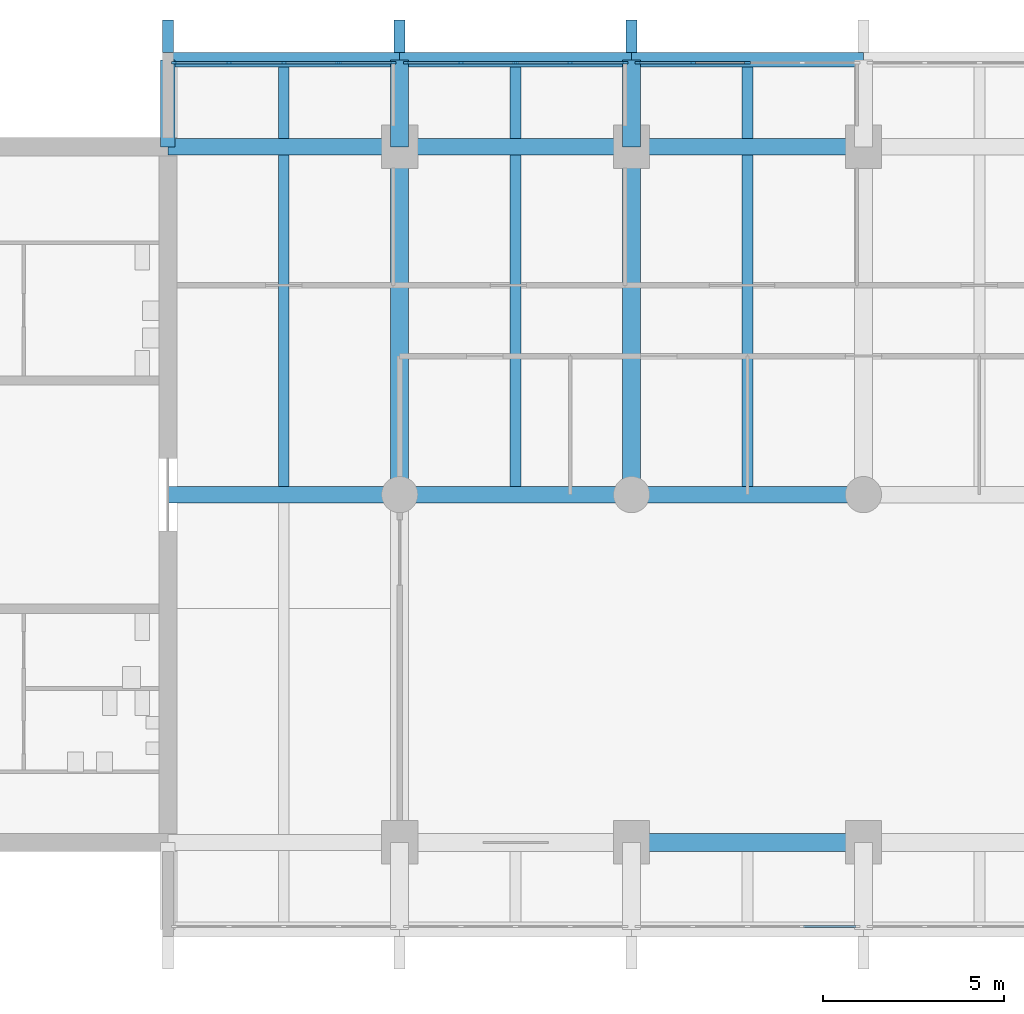
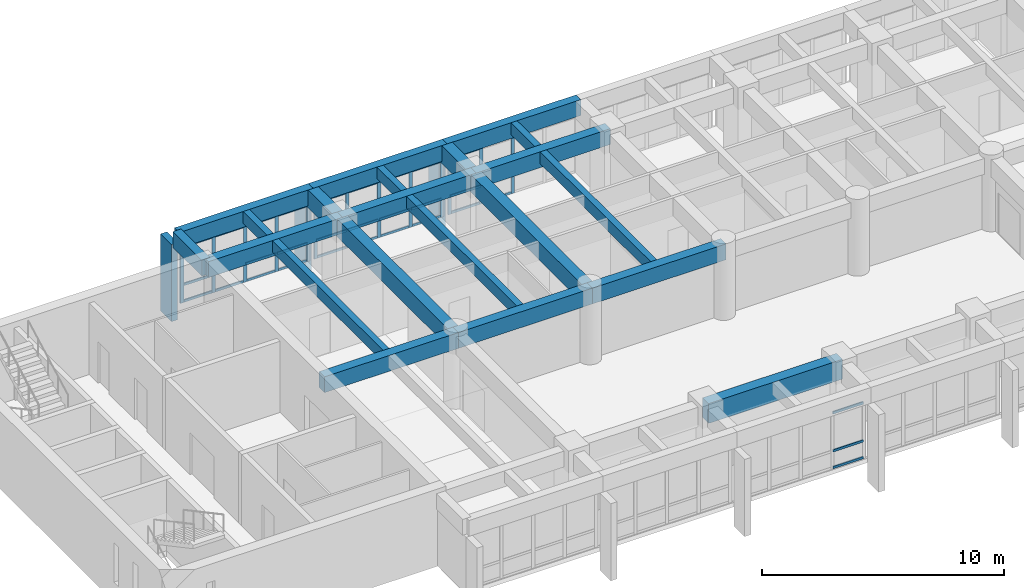
# One storey, part 3 of 15: 47 members, 21 beams, 4 elements without a shape of their own.
"""IFC4 building model written with IfcOpenShell, lengths in metres."""

from ifc_helpers import new_model, si_unit, direction, frame, origin, origin_2d, place, context, subcontext, project, spatial, rectangle, extrude, material, layer, layer_set, material_profile, profile_set, type_object, element, aggregate, save


model = new_model("IFC4")

# Units and contexts
model_context = context("Model", 3, precision=1e-05, world=origin(), true_north=direction((0.0, 1.0)))
body_context = subcontext(model_context, "Body", "Model", "MODEL_VIEW")
ifc_project = project(units=[si_unit("LENGTHUNIT", "METRE"), si_unit("AREAUNIT", "SQUARE_METRE"), si_unit("VOLUMEUNIT", "CUBIC_METRE"), si_unit("PLANEANGLEUNIT", "RADIAN"), si_unit("MASSUNIT", "GRAM", prefix="KILO")], contexts=[model_context])

# Site, building, storey
site_placement = place(None, origin())
site = spatial("IfcSite", under=ifc_project, at=site_placement, CompositionType="ELEMENT")
building_placement = place(site_placement, origin())
building = spatial("IfcBuilding", under=site, at=building_placement, Name="Fogon Plaza Fire Station and Headquarters Tower", CompositionType="ELEMENT")
storey_placement = place(building_placement, frame((0.0, 0.0, 32.699951171875)))
storey = spatial("IfcBuildingStorey", under=building, at=storey_placement, Name="L08", CompositionType="ELEMENT", Elevation=32.699951171875)

# Beams
ifc_material_1 = material(Name="Concrete C40", Category="concrete")
ifc_material_profile_1 = material_profile(ifc_material_1, rectangle(XDim=0.5, YDim=1.0, at=origin_2d()), Name="RC 500x1000")
ifc_profile_set_1 = profile_set([ifc_material_profile_1], Name="Concrete C40")
beam_type_1 = type_object("IfcBeamType", Name="ATRIUM EDGE GIRDER RC 500x1000", PredefinedType="BEAM", material=ifc_profile_set_1)
beam_1_placement = place(storey_placement, frame((38.39990234375, 33.60009765625, 3.179931640625), z_axis=(1.0, 0.0, 0.0), x_axis=(0.0, 1.0, 0.0)))
element("IfcBeam", 1, at=beam_1_placement, inside=storey, type_object=beam_type_1, Name="beam-L08-023", PredefinedType="BEAM", context=body_context, shape_type="SweptSolid", body=[
    extrude(rectangle(XDim=0.5, YDim=1.0, at=origin_2d()), origin(), (0.0, 0.0, 1.0), 6.400146484375),
])
ifc_material_2 = material(Name="Concrete C40", Category="concrete")
ifc_material_profile_2 = material_profile(ifc_material_2, rectangle(XDim=0.39990234375, YDim=0.800048828125, at=origin_2d()), Name="RC 400x800")
ifc_profile_set_2 = profile_set([ifc_material_profile_2], Name="Concrete C40")
beam_type_2 = type_object("IfcBeamType", Name="BEAM RC 400x800", PredefinedType="BEAM", material=ifc_profile_set_2)
for number, where, z_axis, x_axis, name in (
    (2, (25.60009765625, 55.199951171875, 3.280029296875), (1.0, 0.0, 0.0), (0.0, 1.0, 0.0), "beam-L08-045"),
    (3, (32.0, 55.199951171875, 3.280029296875), (1.0, 0.0, 0.0), (0.0, 1.0, 0.0), "beam-L08-046"),
):
    element("IfcBeam", number, at=place(storey_placement, frame(where, z_axis=z_axis, x_axis=x_axis)), inside=storey, type_object=beam_type_2, Name=name, PredefinedType="BEAM", context=body_context, shape_type="SweptSolid", body=[
        extrude(rectangle(XDim=0.39990234375, YDim=0.800048828125, at=origin_2d()), origin(), (0.0, 0.0, 1.0), 6.39990234375),
    ])
beam_2_placement = place(storey_placement, frame((38.39990234375, 55.199951171875, 3.280029296875), z_axis=(1.0, 0.0, 0.0), x_axis=(0.0, 1.0, 0.0)))
element("IfcBeam", 4, at=beam_2_placement, inside=storey, type_object=beam_type_2, Name="beam-L08-047", PredefinedType="BEAM", context=body_context, shape_type="SweptSolid", body=[
    extrude(rectangle(XDim=0.39990234375, YDim=0.800048828125, at=origin_2d()), origin(), (0.0, 0.0, 1.0), 6.400146484375),
])
ifc_material_3 = material(Name="Concrete C40", Category="concrete")
ifc_material_profile_3 = material_profile(ifc_material_3, rectangle(XDim=0.39990234375, YDim=0.800048828125, at=origin_2d()), Name="RC 400x800")
ifc_profile_set_3 = profile_set([ifc_material_profile_3], Name="Concrete C40")
beam_type_3 = type_object("IfcBeamType", Name="BEAM RC 400x800 SPAN 0.0 TO 3.0 M", PredefinedType="BEAM", material=ifc_profile_set_3)
beam_3_placement = place(storey_placement, frame((25.60009765625, 52.800048828125, 3.280029296875), z_axis=(0.0, 1.0, 0.0), x_axis=(-1.0, 0.0, 0.0)))
element("IfcBeam", 5, at=beam_3_placement, inside=storey, type_object=beam_type_3, Name="beam-L08-052", PredefinedType="BEAM", context=body_context, shape_type="SweptSolid", body=[
    extrude(rectangle(XDim=0.39990234375, YDim=0.800048828125, at=origin_2d()), origin(), (0.0, 0.0, 1.0), 2.39990234375),
])
ifc_material_4 = material(Name="Concrete C40", Category="concrete")
ifc_material_profile_4 = material_profile(ifc_material_4, rectangle(XDim=0.449951171875, YDim=0.800048828125, at=origin_2d()), Name="RC 450x800")
ifc_profile_set_4 = profile_set([ifc_material_profile_4], Name="Concrete C40")
beam_type_4 = type_object("IfcBeamType", Name="BEAM RC 450x800", PredefinedType="BEAM", material=ifc_profile_set_4)
for number, where, z_axis, x_axis, name in (
    (6, (25.60009765625, 43.199951171875, 3.280029296875), (1.0, 0.0, 0.0), (0.0, 1.0, 0.0), "beam-L08-027"),
    (7, (32.0, 43.199951171875, 3.280029296875), (1.0, 0.0, 0.0), (0.0, 1.0, 0.0), "beam-L08-028"),
):
    element("IfcBeam", number, at=place(storey_placement, frame(where, z_axis=z_axis, x_axis=x_axis)), inside=storey, type_object=beam_type_4, Name=name, PredefinedType="BEAM", context=body_context, shape_type="SweptSolid", body=[
        extrude(rectangle(XDim=0.449951171875, YDim=0.800048828125, at=origin_2d()), origin(), (0.0, 0.0, 1.0), 6.39990234375),
    ])
beam_4_placement = place(storey_placement, frame((38.39990234375, 43.199951171875, 3.280029296875), z_axis=(1.0, 0.0, 0.0), x_axis=(0.0, 1.0, 0.0)))
element("IfcBeam", 8, at=beam_4_placement, inside=storey, type_object=beam_type_4, Name="beam-L08-029", PredefinedType="BEAM", context=body_context, shape_type="SweptSolid", body=[
    extrude(rectangle(XDim=0.449951171875, YDim=0.800048828125, at=origin_2d()), origin(), (0.0, 0.0, 1.0), 6.400146484375),
])
for number, where, z_axis, x_axis, name in (
    (9, (25.60009765625, 52.800048828125, 3.280029296875), (1.0, 0.0, 0.0), (0.0, 1.0, 0.0), "beam-L08-033"),
    (10, (32.0, 52.800048828125, 3.280029296875), (1.0, 0.0, 0.0), (0.0, 1.0, 0.0), "beam-L08-034"),
):
    element("IfcBeam", number, at=place(storey_placement, frame(where, z_axis=z_axis, x_axis=x_axis)), inside=storey, type_object=beam_type_4, Name=name, PredefinedType="BEAM", context=body_context, shape_type="SweptSolid", body=[
        extrude(rectangle(XDim=0.449951171875, YDim=0.800048828125, at=origin_2d()), origin(), (0.0, 0.0, 1.0), 6.39990234375),
    ])
beam_5_placement = place(storey_placement, frame((38.39990234375, 52.800048828125, 3.280029296875), z_axis=(1.0, 0.0, 0.0), x_axis=(0.0, 1.0, 0.0)))
element("IfcBeam", 11, at=beam_5_placement, inside=storey, type_object=beam_type_4, Name="beam-L08-035", PredefinedType="BEAM", context=body_context, shape_type="SweptSolid", body=[
    extrude(rectangle(XDim=0.449951171875, YDim=0.800048828125, at=origin_2d()), origin(), (0.0, 0.0, 1.0), 6.400146484375),
])
ifc_material_5 = material(Name="Concrete C40", Category="concrete")
ifc_material_profile_5 = material_profile(ifc_material_5, rectangle(XDim=0.5, YDim=0.89990234375, at=origin_2d()), Name="RC 500x900")
ifc_profile_set_5 = profile_set([ifc_material_profile_5], Name="Concrete C40")
beam_type_5 = type_object("IfcBeamType", Name="BEAM RC 500x900 SPAN 0.0 TO 3.0 M", PredefinedType="BEAM", material=ifc_profile_set_5)
for number, where, z_axis, x_axis, name in (
    (12, (32.0, 52.800048828125, 3.22998046875), (0.0, 1.0, 0.0), (-1.0, 0.0, 0.0), "beam-L08-004"),
    (13, (38.39990234375, 52.800048828125, 3.22998046875), (0.0, 1.0, 0.0), (-1.0, 0.0, 0.0), "beam-L08-008"),
):
    element("IfcBeam", number, at=place(storey_placement, frame(where, z_axis=z_axis, x_axis=x_axis)), inside=storey, type_object=beam_type_5, Name=name, PredefinedType="BEAM", context=body_context, shape_type="SweptSolid", body=[
        extrude(rectangle(XDim=0.5, YDim=0.89990234375, at=origin_2d()), origin(), (0.0, 0.0, 1.0), 2.39990234375),
    ])
ifc_material_6 = material(Name="Concrete C40", Category="concrete")
ifc_material_profile_6 = material_profile(ifc_material_6, rectangle(XDim=0.5, YDim=0.89990234375, at=origin_2d()), Name="RC 500x900")
ifc_profile_set_6 = profile_set([ifc_material_profile_6], Name="Concrete C40")
beam_type_6 = type_object("IfcBeamType", Name="BEAM RC 500x900 SPAN 7.7 TO 12.3 M", PredefinedType="BEAM", material=ifc_profile_set_6)
for number, where, z_axis, x_axis, name in (
    (14, (32.0, 43.199951171875, 3.22998046875), (0.0, 1.0, 0.0), (-1.0, 0.0, 0.0), "beam-L08-003"),
    (15, (38.39990234375, 43.199951171875, 3.22998046875), (0.0, 1.0, 0.0), (-1.0, 0.0, 0.0), "beam-L08-007"),
):
    element("IfcBeam", number, at=place(storey_placement, frame(where, z_axis=z_axis, x_axis=x_axis)), inside=storey, type_object=beam_type_6, Name=name, PredefinedType="BEAM", context=body_context, shape_type="SweptSolid", body=[
        extrude(rectangle(XDim=0.5, YDim=0.89990234375, at=origin_2d()), origin(), (0.0, 0.0, 1.0), 9.60009765625),
    ])

# Curtain wall, members
ifc_material_7 = material(Name="Aluminium and glass", Category="aluminium")
ifc_layer = layer(ifc_material_7, 0.14990234375)
ifc_layer_set = layer_set([ifc_layer], Name="Aluminium and glass")
curtain_wall_type = type_object("IfcCurtainWallType", Name="Unitised Curtain Wall Run 6100x2880", PredefinedType="NOTDEFINED", material=ifc_layer_set)
curtain_wall_1_placement = place(storey_placement, origin())
curtain_wall_1 = element("IfcCurtainWall", 16, at=curtain_wall_1_placement, inside=storey, type_object=curtain_wall_type, Name="CW-6100x2880 N1 L08", PredefinedType="NOTDEFINED")
ifc_material_8 = material(Name="Aluminium", Category="aluminium")
ifc_material_profile_7 = material_profile(ifc_material_8, rectangle(XDim=0.06005859375, YDim=0.159912109375, at=origin_2d()), Name="Curtain Wall Mullion 60x160")
ifc_profile_set_7 = profile_set([ifc_material_profile_7], Name="Aluminium")
member_type_1 = type_object("IfcMemberType", Name="Curtain Wall Mullion 60x160", PredefinedType="MULLION", material=ifc_profile_set_7)
member_1_placement = place(storey_placement, frame((25.780029296875, 55.1201171875, 0.0), z_axis=(0.0, 0.0, 1.0), x_axis=(0.0, 1.0, 0.0)))
member_1 = element("IfcMember", 17, at=member_1_placement, type_object=member_type_1, Name="CW-6100x2880 mullion 1", PredefinedType="MULLION", context=body_context, shape_type="SweptSolid", body=[
    extrude(rectangle(XDim=0.06005859375, YDim=0.159912109375, at=origin_2d()), origin(), (0.0, 0.0, 1.0), 2.880126953125),
])
member_2_placement = place(storey_placement, frame((27.2900390625, 55.1201171875, 0.0), z_axis=(0.0, 0.0, 1.0), x_axis=(0.0, 1.0, 0.0)))
member_2 = element("IfcMember", 18, at=member_2_placement, type_object=member_type_1, Name="CW-6100x2880 mullion 2", PredefinedType="MULLION", context=body_context, shape_type="SweptSolid", body=[
    extrude(rectangle(XDim=0.06005859375, YDim=0.159912109375, at=origin_2d()), origin(), (0.0, 0.0, 1.0), 2.880126953125),
])
member_3_placement = place(storey_placement, frame((28.800048828125, 55.1201171875, 0.0), z_axis=(0.0, 0.0, 1.0), x_axis=(0.0, 1.0, 0.0)))
member_3 = element("IfcMember", 19, at=member_3_placement, type_object=member_type_1, Name="CW-6100x2880 mullion 3", PredefinedType="MULLION", context=body_context, shape_type="SweptSolid", body=[
    extrude(rectangle(XDim=0.06005859375, YDim=0.159912109375, at=origin_2d()), origin(), (0.0, 0.0, 1.0), 2.880126953125),
])
member_4_placement = place(storey_placement, frame((30.31005859375, 55.1201171875, 0.0), z_axis=(0.0, 0.0, 1.0), x_axis=(0.0, 1.0, 0.0)))
member_4 = element("IfcMember", 20, at=member_4_placement, type_object=member_type_1, Name="CW-6100x2880 mullion 4", PredefinedType="MULLION", context=body_context, shape_type="SweptSolid", body=[
    extrude(rectangle(XDim=0.06005859375, YDim=0.159912109375, at=origin_2d()), origin(), (0.0, 0.0, 1.0), 2.880126953125),
])
member_5_placement = place(storey_placement, frame((31.820068359375, 55.1201171875, 0.0), z_axis=(0.0, 0.0, 1.0), x_axis=(0.0, 1.0, 0.0)))
member_5 = element("IfcMember", 21, at=member_5_placement, type_object=member_type_1, Name="CW-6100x2880 mullion 5", PredefinedType="MULLION", context=body_context, shape_type="SweptSolid", body=[
    extrude(rectangle(XDim=0.06005859375, YDim=0.159912109375, at=origin_2d()), origin(), (0.0, 0.0, 1.0), 2.880126953125),
])

curtain_wall_2_placement = place(storey_placement, origin())
curtain_wall_2 = element("IfcCurtainWall", 22, at=curtain_wall_2_placement, inside=storey, type_object=curtain_wall_type, Name="CW-6100x2880 N2 L08", PredefinedType="NOTDEFINED")
member_6_placement = place(storey_placement, frame((32.179931640625, 55.1201171875, 0.0), z_axis=(0.0, 0.0, 1.0), x_axis=(0.0, 1.0, 0.0)))
member_6 = element("IfcMember", 23, at=member_6_placement, type_object=member_type_1, Name="CW-6100x2880 mullion 1", PredefinedType="MULLION", context=body_context, shape_type="SweptSolid", body=[
    extrude(rectangle(XDim=0.06005859375, YDim=0.159912109375, at=origin_2d()), origin(), (0.0, 0.0, 1.0), 2.880126953125),
])
member_7_placement = place(storey_placement, frame((33.68994140625, 55.1201171875, 0.0), z_axis=(0.0, 0.0, 1.0), x_axis=(0.0, 1.0, 0.0)))
member_7 = element("IfcMember", 24, at=member_7_placement, type_object=member_type_1, Name="CW-6100x2880 mullion 2", PredefinedType="MULLION", context=body_context, shape_type="SweptSolid", body=[
    extrude(rectangle(XDim=0.06005859375, YDim=0.159912109375, at=origin_2d()), origin(), (0.0, 0.0, 1.0), 2.880126953125),
])
member_8_placement = place(storey_placement, frame((35.199951171875, 55.1201171875, 0.0), z_axis=(0.0, 0.0, 1.0), x_axis=(0.0, 1.0, 0.0)))
member_8 = element("IfcMember", 25, at=member_8_placement, type_object=member_type_1, Name="CW-6100x2880 mullion 3", PredefinedType="MULLION", context=body_context, shape_type="SweptSolid", body=[
    extrude(rectangle(XDim=0.06005859375, YDim=0.159912109375, at=origin_2d()), origin(), (0.0, 0.0, 1.0), 2.880126953125),
])
member_9_placement = place(storey_placement, frame((36.7099609375, 55.1201171875, 0.0), z_axis=(0.0, 0.0, 1.0), x_axis=(0.0, 1.0, 0.0)))
member_9 = element("IfcMember", 26, at=member_9_placement, type_object=member_type_1, Name="CW-6100x2880 mullion 4", PredefinedType="MULLION", context=body_context, shape_type="SweptSolid", body=[
    extrude(rectangle(XDim=0.06005859375, YDim=0.159912109375, at=origin_2d()), origin(), (0.0, 0.0, 1.0), 2.880126953125),
])
member_10_placement = place(storey_placement, frame((38.219970703125, 55.1201171875, 0.0), z_axis=(0.0, 0.0, 1.0), x_axis=(0.0, 1.0, 0.0)))
member_10 = element("IfcMember", 27, at=member_10_placement, type_object=member_type_1, Name="CW-6100x2880 mullion 5", PredefinedType="MULLION", context=body_context, shape_type="SweptSolid", body=[
    extrude(rectangle(XDim=0.06005859375, YDim=0.159912109375, at=origin_2d()), origin(), (0.0, 0.0, 1.0), 2.880126953125),
])

curtain_wall_3_placement = place(storey_placement, origin())
curtain_wall_3 = element("IfcCurtainWall", 28, at=curtain_wall_3_placement, inside=storey, type_object=curtain_wall_type, Name="CW-6100x2880 N3 L08", PredefinedType="NOTDEFINED")
member_11_placement = place(storey_placement, frame((38.580078125, 55.1201171875, 0.0), z_axis=(0.0, 0.0, 1.0), x_axis=(0.0, 1.0, 0.0)))
member_11 = element("IfcMember", 29, at=member_11_placement, type_object=member_type_1, Name="CW-6100x2880 mullion 1", PredefinedType="MULLION", context=body_context, shape_type="SweptSolid", body=[
    extrude(rectangle(XDim=0.06005859375, YDim=0.159912109375, at=origin_2d()), origin(), (0.0, 0.0, 1.0), 2.880126953125),
])
member_12_placement = place(storey_placement, frame((40.090087890625, 55.1201171875, 0.0), z_axis=(0.0, 0.0, 1.0), x_axis=(0.0, 1.0, 0.0)))
member_12 = element("IfcMember", 30, at=member_12_placement, type_object=member_type_1, Name="CW-6100x2880 mullion 2", PredefinedType="MULLION", context=body_context, shape_type="SweptSolid", body=[
    extrude(rectangle(XDim=0.06005859375, YDim=0.159912109375, at=origin_2d()), origin(), (0.0, 0.0, 1.0), 2.880126953125),
])
member_13_placement = place(storey_placement, frame((41.60009765625, 55.1201171875, 0.0), z_axis=(0.0, 0.0, 1.0), x_axis=(0.0, 1.0, 0.0)))
member_13 = element("IfcMember", 31, at=member_13_placement, type_object=member_type_1, Name="CW-6100x2880 mullion 3", PredefinedType="MULLION", context=body_context, shape_type="SweptSolid", body=[
    extrude(rectangle(XDim=0.06005859375, YDim=0.159912109375, at=origin_2d()), origin(), (0.0, 0.0, 1.0), 2.880126953125),
])

curtain_wall_4_placement = place(storey_placement, origin())
curtain_wall_4 = element("IfcCurtainWall", 32, at=curtain_wall_4_placement, inside=storey, type_object=curtain_wall_type, Name="CW-6100x2880 S3 L08", PredefinedType="NOTDEFINED")
ifc_material_9 = material(Name="Aluminium", Category="aluminium")
ifc_material_profile_8 = material_profile(ifc_material_9, rectangle(XDim=0.06005859375, YDim=0.1201171875, at=origin_2d()), Name="Curtain Wall Transom 60x120")
ifc_profile_set_8 = profile_set([ifc_material_profile_8], Name="Aluminium")
member_type_2 = type_object("IfcMemberType", Name="Curtain Wall Transom 60x120", PredefinedType="USERDEFINED", material=ifc_profile_set_8)
member_14_placement = place(storey_placement, frame((43.139892578125, 31.280029296875, 0.06005859375), z_axis=(1.0, 0.0, 0.0), x_axis=(0.0, 1.0, 0.0)))
member_14 = element("IfcMember", 33, at=member_14_placement, type_object=member_type_2, Name="CW-6100x2880 transom 4.1", ObjectType="TRANSOM", PredefinedType="USERDEFINED", context=body_context, shape_type="SweptSolid", body=[
    extrude(rectangle(XDim=0.06005859375, YDim=0.1201171875, at=origin_2d()), origin(), (0.0, 0.0, 1.0), 1.4501953125),
])
member_15_placement = place(storey_placement, frame((43.139892578125, 31.280029296875, 0.900146484375), z_axis=(1.0, 0.0, 0.0), x_axis=(0.0, 1.0, 0.0)))
member_15 = element("IfcMember", 34, at=member_15_placement, type_object=member_type_2, Name="CW-6100x2880 transom 4.2", ObjectType="TRANSOM", PredefinedType="USERDEFINED", context=body_context, shape_type="SweptSolid", body=[
    extrude(rectangle(XDim=0.06005859375, YDim=0.1201171875, at=origin_2d()), origin(), (0.0, 0.0, 1.0), 1.4501953125),
])
member_16_placement = place(storey_placement, frame((43.139892578125, 31.280029296875, 2.820068359375), z_axis=(1.0, 0.0, 0.0), x_axis=(0.0, 1.0, 0.0)))
member_16 = element("IfcMember", 35, at=member_16_placement, type_object=member_type_2, Name="CW-6100x2880 transom 4.3", ObjectType="TRANSOM", PredefinedType="USERDEFINED", context=body_context, shape_type="SweptSolid", body=[
    extrude(rectangle(XDim=0.06005859375, YDim=0.1201171875, at=origin_2d()), origin(), (0.0, 0.0, 1.0), 1.4501953125),
])
aggregate(curtain_wall_4, [member_14, member_15, member_16])

# Member
member_17_placement = place(storey_placement, frame((25.81005859375, 55.1201171875, 0.06005859375), z_axis=(1.0, 0.0, 0.0), x_axis=(0.0, 1.0, 0.0)))
member_17 = element("IfcMember", 36, at=member_17_placement, type_object=member_type_2, Name="CW-6100x2880 transom 1.1", ObjectType="TRANSOM", PredefinedType="USERDEFINED", context=body_context, shape_type="SweptSolid", body=[
    extrude(rectangle(XDim=0.06005859375, YDim=0.1201171875, at=origin_2d()), origin(), (0.0, 0.0, 1.0), 1.449951171875),
])

member_18_placement = place(storey_placement, frame((25.81005859375, 55.1201171875, 0.900146484375), z_axis=(1.0, 0.0, 0.0), x_axis=(0.0, 1.0, 0.0)))
member_18 = element("IfcMember", 37, at=member_18_placement, type_object=member_type_2, Name="CW-6100x2880 transom 1.2", ObjectType="TRANSOM", PredefinedType="USERDEFINED", context=body_context, shape_type="SweptSolid", body=[
    extrude(rectangle(XDim=0.06005859375, YDim=0.1201171875, at=origin_2d()), origin(), (0.0, 0.0, 1.0), 1.449951171875),
])

member_19_placement = place(storey_placement, frame((25.81005859375, 55.1201171875, 2.820068359375), z_axis=(1.0, 0.0, 0.0), x_axis=(0.0, 1.0, 0.0)))
member_19 = element("IfcMember", 38, at=member_19_placement, type_object=member_type_2, Name="CW-6100x2880 transom 1.3", ObjectType="TRANSOM", PredefinedType="USERDEFINED", context=body_context, shape_type="SweptSolid", body=[
    extrude(rectangle(XDim=0.06005859375, YDim=0.1201171875, at=origin_2d()), origin(), (0.0, 0.0, 1.0), 1.449951171875),
])

member_20_placement = place(storey_placement, frame((27.320068359375, 55.1201171875, 0.06005859375), z_axis=(1.0, 0.0, 0.0), x_axis=(0.0, 1.0, 0.0)))
member_20 = element("IfcMember", 39, at=member_20_placement, type_object=member_type_2, Name="CW-6100x2880 transom 2.1", ObjectType="TRANSOM", PredefinedType="USERDEFINED", context=body_context, shape_type="SweptSolid", body=[
    extrude(rectangle(XDim=0.06005859375, YDim=0.1201171875, at=origin_2d()), origin(), (0.0, 0.0, 1.0), 1.449951171875),
])

member_21_placement = place(storey_placement, frame((27.320068359375, 55.1201171875, 0.900146484375), z_axis=(1.0, 0.0, 0.0), x_axis=(0.0, 1.0, 0.0)))
member_21 = element("IfcMember", 40, at=member_21_placement, type_object=member_type_2, Name="CW-6100x2880 transom 2.2", ObjectType="TRANSOM", PredefinedType="USERDEFINED", context=body_context, shape_type="SweptSolid", body=[
    extrude(rectangle(XDim=0.06005859375, YDim=0.1201171875, at=origin_2d()), origin(), (0.0, 0.0, 1.0), 1.449951171875),
])

member_22_placement = place(storey_placement, frame((27.320068359375, 55.1201171875, 2.820068359375), z_axis=(1.0, 0.0, 0.0), x_axis=(0.0, 1.0, 0.0)))
member_22 = element("IfcMember", 41, at=member_22_placement, type_object=member_type_2, Name="CW-6100x2880 transom 2.3", ObjectType="TRANSOM", PredefinedType="USERDEFINED", context=body_context, shape_type="SweptSolid", body=[
    extrude(rectangle(XDim=0.06005859375, YDim=0.1201171875, at=origin_2d()), origin(), (0.0, 0.0, 1.0), 1.449951171875),
])

member_23_placement = place(storey_placement, frame((28.830078125, 55.1201171875, 0.06005859375), z_axis=(1.0, 0.0, 0.0), x_axis=(0.0, 1.0, 0.0)))
member_23 = element("IfcMember", 42, at=member_23_placement, type_object=member_type_2, Name="CW-6100x2880 transom 3.1", ObjectType="TRANSOM", PredefinedType="USERDEFINED", context=body_context, shape_type="SweptSolid", body=[
    extrude(rectangle(XDim=0.06005859375, YDim=0.1201171875, at=origin_2d()), origin(), (0.0, 0.0, 1.0), 1.449951171875),
])

member_24_placement = place(storey_placement, frame((28.830078125, 55.1201171875, 0.900146484375), z_axis=(1.0, 0.0, 0.0), x_axis=(0.0, 1.0, 0.0)))
member_24 = element("IfcMember", 43, at=member_24_placement, type_object=member_type_2, Name="CW-6100x2880 transom 3.2", ObjectType="TRANSOM", PredefinedType="USERDEFINED", context=body_context, shape_type="SweptSolid", body=[
    extrude(rectangle(XDim=0.06005859375, YDim=0.1201171875, at=origin_2d()), origin(), (0.0, 0.0, 1.0), 1.449951171875),
])

member_25_placement = place(storey_placement, frame((28.830078125, 55.1201171875, 2.820068359375), z_axis=(1.0, 0.0, 0.0), x_axis=(0.0, 1.0, 0.0)))
member_25 = element("IfcMember", 44, at=member_25_placement, type_object=member_type_2, Name="CW-6100x2880 transom 3.3", ObjectType="TRANSOM", PredefinedType="USERDEFINED", context=body_context, shape_type="SweptSolid", body=[
    extrude(rectangle(XDim=0.06005859375, YDim=0.1201171875, at=origin_2d()), origin(), (0.0, 0.0, 1.0), 1.449951171875),
])

member_26_placement = place(storey_placement, frame((30.340087890625, 55.1201171875, 0.06005859375), z_axis=(1.0, 0.0, 0.0), x_axis=(0.0, 1.0, 0.0)))
member_26 = element("IfcMember", 45, at=member_26_placement, type_object=member_type_2, Name="CW-6100x2880 transom 4.1", ObjectType="TRANSOM", PredefinedType="USERDEFINED", context=body_context, shape_type="SweptSolid", body=[
    extrude(rectangle(XDim=0.06005859375, YDim=0.1201171875, at=origin_2d()), origin(), (0.0, 0.0, 1.0), 1.449951171875),
])

member_27_placement = place(storey_placement, frame((30.340087890625, 55.1201171875, 0.900146484375), z_axis=(1.0, 0.0, 0.0), x_axis=(0.0, 1.0, 0.0)))
member_27 = element("IfcMember", 46, at=member_27_placement, type_object=member_type_2, Name="CW-6100x2880 transom 4.2", ObjectType="TRANSOM", PredefinedType="USERDEFINED", context=body_context, shape_type="SweptSolid", body=[
    extrude(rectangle(XDim=0.06005859375, YDim=0.1201171875, at=origin_2d()), origin(), (0.0, 0.0, 1.0), 1.449951171875),
])

member_28_placement = place(storey_placement, frame((30.340087890625, 55.1201171875, 2.820068359375), z_axis=(1.0, 0.0, 0.0), x_axis=(0.0, 1.0, 0.0)))
member_28 = element("IfcMember", 47, at=member_28_placement, type_object=member_type_2, Name="CW-6100x2880 transom 4.3", ObjectType="TRANSOM", PredefinedType="USERDEFINED", context=body_context, shape_type="SweptSolid", body=[
    extrude(rectangle(XDim=0.06005859375, YDim=0.1201171875, at=origin_2d()), origin(), (0.0, 0.0, 1.0), 1.449951171875),
])

aggregate(curtain_wall_1, [member_1, member_2, member_3, member_4, member_5, member_17, member_18, member_19, member_20, member_21, member_22, member_23, member_24, member_25, member_26, member_27, member_28])

member_29_placement = place(storey_placement, frame((32.2099609375, 55.1201171875, 0.06005859375), z_axis=(1.0, 0.0, 0.0), x_axis=(0.0, 1.0, 0.0)))
member_29 = element("IfcMember", 48, at=member_29_placement, type_object=member_type_2, Name="CW-6100x2880 transom 1.1", ObjectType="TRANSOM", PredefinedType="USERDEFINED", context=body_context, shape_type="SweptSolid", body=[
    extrude(rectangle(XDim=0.06005859375, YDim=0.1201171875, at=origin_2d()), origin(), (0.0, 0.0, 1.0), 1.449951171875),
])

member_30_placement = place(storey_placement, frame((32.2099609375, 55.1201171875, 0.900146484375), z_axis=(1.0, 0.0, 0.0), x_axis=(0.0, 1.0, 0.0)))
member_30 = element("IfcMember", 49, at=member_30_placement, type_object=member_type_2, Name="CW-6100x2880 transom 1.2", ObjectType="TRANSOM", PredefinedType="USERDEFINED", context=body_context, shape_type="SweptSolid", body=[
    extrude(rectangle(XDim=0.06005859375, YDim=0.1201171875, at=origin_2d()), origin(), (0.0, 0.0, 1.0), 1.449951171875),
])

member_31_placement = place(storey_placement, frame((32.2099609375, 55.1201171875, 2.820068359375), z_axis=(1.0, 0.0, 0.0), x_axis=(0.0, 1.0, 0.0)))
member_31 = element("IfcMember", 50, at=member_31_placement, type_object=member_type_2, Name="CW-6100x2880 transom 1.3", ObjectType="TRANSOM", PredefinedType="USERDEFINED", context=body_context, shape_type="SweptSolid", body=[
    extrude(rectangle(XDim=0.06005859375, YDim=0.1201171875, at=origin_2d()), origin(), (0.0, 0.0, 1.0), 1.449951171875),
])

member_32_placement = place(storey_placement, frame((33.719970703125, 55.1201171875, 0.06005859375), z_axis=(1.0, 0.0, 0.0), x_axis=(0.0, 1.0, 0.0)))
member_32 = element("IfcMember", 51, at=member_32_placement, type_object=member_type_2, Name="CW-6100x2880 transom 2.1", ObjectType="TRANSOM", PredefinedType="USERDEFINED", context=body_context, shape_type="SweptSolid", body=[
    extrude(rectangle(XDim=0.06005859375, YDim=0.1201171875, at=origin_2d()), origin(), (0.0, 0.0, 1.0), 1.449951171875),
])

member_33_placement = place(storey_placement, frame((33.719970703125, 55.1201171875, 0.900146484375), z_axis=(1.0, 0.0, 0.0), x_axis=(0.0, 1.0, 0.0)))
member_33 = element("IfcMember", 52, at=member_33_placement, type_object=member_type_2, Name="CW-6100x2880 transom 2.2", ObjectType="TRANSOM", PredefinedType="USERDEFINED", context=body_context, shape_type="SweptSolid", body=[
    extrude(rectangle(XDim=0.06005859375, YDim=0.1201171875, at=origin_2d()), origin(), (0.0, 0.0, 1.0), 1.449951171875),
])

member_34_placement = place(storey_placement, frame((33.719970703125, 55.1201171875, 2.820068359375), z_axis=(1.0, 0.0, 0.0), x_axis=(0.0, 1.0, 0.0)))
member_34 = element("IfcMember", 53, at=member_34_placement, type_object=member_type_2, Name="CW-6100x2880 transom 2.3", ObjectType="TRANSOM", PredefinedType="USERDEFINED", context=body_context, shape_type="SweptSolid", body=[
    extrude(rectangle(XDim=0.06005859375, YDim=0.1201171875, at=origin_2d()), origin(), (0.0, 0.0, 1.0), 1.449951171875),
])

member_35_placement = place(storey_placement, frame((35.22998046875, 55.1201171875, 0.06005859375), z_axis=(1.0, 0.0, 0.0), x_axis=(0.0, 1.0, 0.0)))
member_35 = element("IfcMember", 54, at=member_35_placement, type_object=member_type_2, Name="CW-6100x2880 transom 3.1", ObjectType="TRANSOM", PredefinedType="USERDEFINED", context=body_context, shape_type="SweptSolid", body=[
    extrude(rectangle(XDim=0.06005859375, YDim=0.1201171875, at=origin_2d()), origin(), (0.0, 0.0, 1.0), 1.449951171875),
])

member_36_placement = place(storey_placement, frame((35.22998046875, 55.1201171875, 0.900146484375), z_axis=(1.0, 0.0, 0.0), x_axis=(0.0, 1.0, 0.0)))
member_36 = element("IfcMember", 55, at=member_36_placement, type_object=member_type_2, Name="CW-6100x2880 transom 3.2", ObjectType="TRANSOM", PredefinedType="USERDEFINED", context=body_context, shape_type="SweptSolid", body=[
    extrude(rectangle(XDim=0.06005859375, YDim=0.1201171875, at=origin_2d()), origin(), (0.0, 0.0, 1.0), 1.449951171875),
])

member_37_placement = place(storey_placement, frame((35.22998046875, 55.1201171875, 2.820068359375), z_axis=(1.0, 0.0, 0.0), x_axis=(0.0, 1.0, 0.0)))
member_37 = element("IfcMember", 56, at=member_37_placement, type_object=member_type_2, Name="CW-6100x2880 transom 3.3", ObjectType="TRANSOM", PredefinedType="USERDEFINED", context=body_context, shape_type="SweptSolid", body=[
    extrude(rectangle(XDim=0.06005859375, YDim=0.1201171875, at=origin_2d()), origin(), (0.0, 0.0, 1.0), 1.449951171875),
])

member_38_placement = place(storey_placement, frame((36.739990234375, 55.1201171875, 0.06005859375), z_axis=(1.0, 0.0, 0.0), x_axis=(0.0, 1.0, 0.0)))
member_38 = element("IfcMember", 57, at=member_38_placement, type_object=member_type_2, Name="CW-6100x2880 transom 4.1", ObjectType="TRANSOM", PredefinedType="USERDEFINED", context=body_context, shape_type="SweptSolid", body=[
    extrude(rectangle(XDim=0.06005859375, YDim=0.1201171875, at=origin_2d()), origin(), (0.0, 0.0, 1.0), 1.449951171875),
])

member_39_placement = place(storey_placement, frame((36.739990234375, 55.1201171875, 0.900146484375), z_axis=(1.0, 0.0, 0.0), x_axis=(0.0, 1.0, 0.0)))
member_39 = element("IfcMember", 58, at=member_39_placement, type_object=member_type_2, Name="CW-6100x2880 transom 4.2", ObjectType="TRANSOM", PredefinedType="USERDEFINED", context=body_context, shape_type="SweptSolid", body=[
    extrude(rectangle(XDim=0.06005859375, YDim=0.1201171875, at=origin_2d()), origin(), (0.0, 0.0, 1.0), 1.449951171875),
])

member_40_placement = place(storey_placement, frame((36.739990234375, 55.1201171875, 2.820068359375), z_axis=(1.0, 0.0, 0.0), x_axis=(0.0, 1.0, 0.0)))
member_40 = element("IfcMember", 59, at=member_40_placement, type_object=member_type_2, Name="CW-6100x2880 transom 4.3", ObjectType="TRANSOM", PredefinedType="USERDEFINED", context=body_context, shape_type="SweptSolid", body=[
    extrude(rectangle(XDim=0.06005859375, YDim=0.1201171875, at=origin_2d()), origin(), (0.0, 0.0, 1.0), 1.449951171875),
])

aggregate(curtain_wall_2, [member_6, member_7, member_8, member_9, member_10, member_29, member_30, member_31, member_32, member_33, member_34, member_35, member_36, member_37, member_38, member_39, member_40])

member_41_placement = place(storey_placement, frame((38.610107421875, 55.1201171875, 0.06005859375), z_axis=(1.0, 0.0, 0.0), x_axis=(0.0, 1.0, 0.0)))
member_41 = element("IfcMember", 60, at=member_41_placement, type_object=member_type_2, Name="CW-6100x2880 transom 1.1", ObjectType="TRANSOM", PredefinedType="USERDEFINED", context=body_context, shape_type="SweptSolid", body=[
    extrude(rectangle(XDim=0.06005859375, YDim=0.1201171875, at=origin_2d()), origin(), (0.0, 0.0, 1.0), 1.449951171875),
])

member_42_placement = place(storey_placement, frame((38.610107421875, 55.1201171875, 0.900146484375), z_axis=(1.0, 0.0, 0.0), x_axis=(0.0, 1.0, 0.0)))
member_42 = element("IfcMember", 61, at=member_42_placement, type_object=member_type_2, Name="CW-6100x2880 transom 1.2", ObjectType="TRANSOM", PredefinedType="USERDEFINED", context=body_context, shape_type="SweptSolid", body=[
    extrude(rectangle(XDim=0.06005859375, YDim=0.1201171875, at=origin_2d()), origin(), (0.0, 0.0, 1.0), 1.449951171875),
])

member_43_placement = place(storey_placement, frame((38.610107421875, 55.1201171875, 2.820068359375), z_axis=(1.0, 0.0, 0.0), x_axis=(0.0, 1.0, 0.0)))
member_43 = element("IfcMember", 62, at=member_43_placement, type_object=member_type_2, Name="CW-6100x2880 transom 1.3", ObjectType="TRANSOM", PredefinedType="USERDEFINED", context=body_context, shape_type="SweptSolid", body=[
    extrude(rectangle(XDim=0.06005859375, YDim=0.1201171875, at=origin_2d()), origin(), (0.0, 0.0, 1.0), 1.449951171875),
])

member_44_placement = place(storey_placement, frame((40.1201171875, 55.1201171875, 0.06005859375), z_axis=(1.0, 0.0, 0.0), x_axis=(0.0, 1.0, 0.0)))
member_44 = element("IfcMember", 63, at=member_44_placement, type_object=member_type_2, Name="CW-6100x2880 transom 2.1", ObjectType="TRANSOM", PredefinedType="USERDEFINED", context=body_context, shape_type="SweptSolid", body=[
    extrude(rectangle(XDim=0.06005859375, YDim=0.1201171875, at=origin_2d()), origin(), (0.0, 0.0, 1.0), 1.449951171875),
])

aggregate(curtain_wall_3, [member_11, member_12, member_13, member_41, member_42, member_43, member_44])

# Beams
ifc_material_10 = material(Name="Concrete C40", Category="concrete")
ifc_material_profile_9 = material_profile(ifc_material_10, rectangle(XDim=0.300048828125, YDim=0.60009765625, at=origin_2d()), Name="RC 300x600")
ifc_profile_set_9 = profile_set([ifc_material_profile_9], Name="Concrete C40")
beam_type_7 = type_object("IfcBeamType", Name="JOIST RC 300x600", PredefinedType="JOIST", material=ifc_profile_set_9)
for number, where, z_axis, x_axis, name in (
    (64, (28.800048828125, 43.425048828125, 3.380126953125), (0.0, 1.0, 0.0), (-1.0, 0.0, 0.0), "beam-L08-057"),
    (65, (35.199951171875, 43.425048828125, 3.380126953125), (0.0, 1.0, 0.0), (-1.0, 0.0, 0.0), "beam-L08-061"),
    (66, (41.60009765625, 43.425048828125, 3.380126953125), (0.0, 1.0, 0.0), (-1.0, 0.0, 0.0), "beam-L08-065"),
):
    element("IfcBeam", number, at=place(storey_placement, frame(where, z_axis=z_axis, x_axis=x_axis)), inside=storey, type_object=beam_type_7, Name=name, PredefinedType="JOIST", context=body_context, shape_type="SweptSolid", body=[
        extrude(rectangle(XDim=0.300048828125, YDim=0.60009765625, at=origin_2d()), origin(), (0.0, 0.0, 1.0), 9.14990234375),
    ])
ifc_material_11 = material(Name="Concrete C40", Category="concrete")
ifc_material_profile_10 = material_profile(ifc_material_11, rectangle(XDim=0.300048828125, YDim=0.60009765625, at=origin_2d()), Name="RC 300x600")
ifc_profile_set_10 = profile_set([ifc_material_profile_10], Name="Concrete C40")
beam_type_8 = type_object("IfcBeamType", Name="JOIST RC 300x600 SPAN 0.0 TO 3.0 M", PredefinedType="JOIST", material=ifc_profile_set_10)
for number, where, z_axis, x_axis, name in (
    (67, (28.800048828125, 53.02490234375, 3.380126953125), (0.0, 1.0, 0.0), (-1.0, 0.0, 0.0), "beam-L08-058"),
    (68, (35.199951171875, 53.02490234375, 3.380126953125), (0.0, 1.0, 0.0), (-1.0, 0.0, 0.0), "beam-L08-062"),
    (69, (41.60009765625, 53.02490234375, 3.380126953125), (0.0, 1.0, 0.0), (-1.0, 0.0, 0.0), "beam-L08-066"),
):
    element("IfcBeam", number, at=place(storey_placement, frame(where, z_axis=z_axis, x_axis=x_axis)), inside=storey, type_object=beam_type_8, Name=name, PredefinedType="JOIST", context=body_context, shape_type="SweptSolid", body=[
        extrude(rectangle(XDim=0.300048828125, YDim=0.60009765625, at=origin_2d()), origin(), (0.0, 0.0, 1.0), 1.97509765625),
    ])

# Members
ifc_material_12 = material(Name="Concrete C40 precast", Category="concrete")
ifc_material_profile_11 = material_profile(ifc_material_12, rectangle(XDim=0.300048828125, YDim=0.89990234375, at=origin_2d()), Name="Precast Concrete Post 300x900")
ifc_profile_set_11 = profile_set([ifc_material_profile_11], Name="Concrete C40 precast")
member_type_3 = type_object("IfcMemberType", Name="Precast Concrete Post 300x900", PredefinedType="POST", material=ifc_profile_set_11)
for number, where, z_axis, x_axis, name in (
    (70, (25.60009765625, 55.85009765625, -1.02001953125), (0.0, 0.0, 1.0), (1.0, 0.0, 0.0), "Precast Post N L08"),
    (71, (32.0, 55.85009765625, -1.02001953125), (0.0, 0.0, 1.0), (1.0, 0.0, 0.0), "Precast Post N L08"),
    (72, (38.39990234375, 55.85009765625, -1.02001953125), (0.0, 0.0, 1.0), (1.0, 0.0, 0.0), "Precast Post N L08"),
):
    element("IfcMember", number, at=place(storey_placement, frame(where, z_axis=z_axis, x_axis=x_axis)), inside=storey, type_object=member_type_3, Name=name, PredefinedType="POST", context=body_context, shape_type="SweptSolid", body=[
        extrude(rectangle(XDim=0.300048828125, YDim=0.89990234375, at=origin_2d()), origin(), (0.0, 0.0, 1.0), 3.900146484375),
    ])

save(model, "model.ifc")
